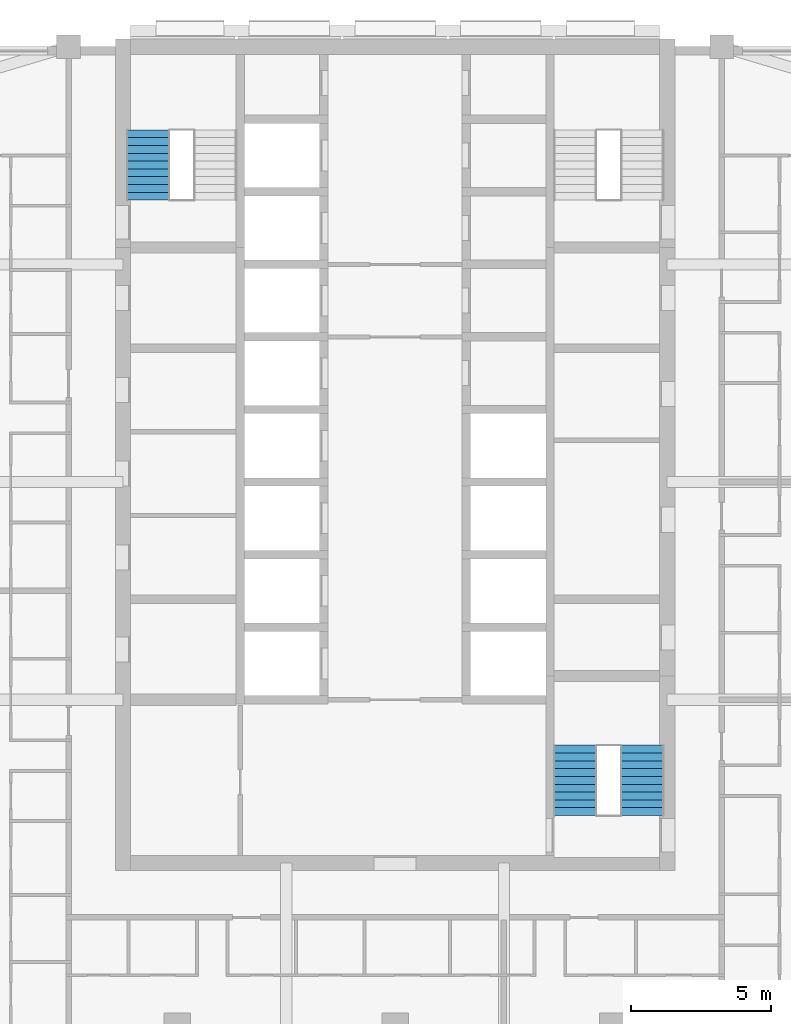
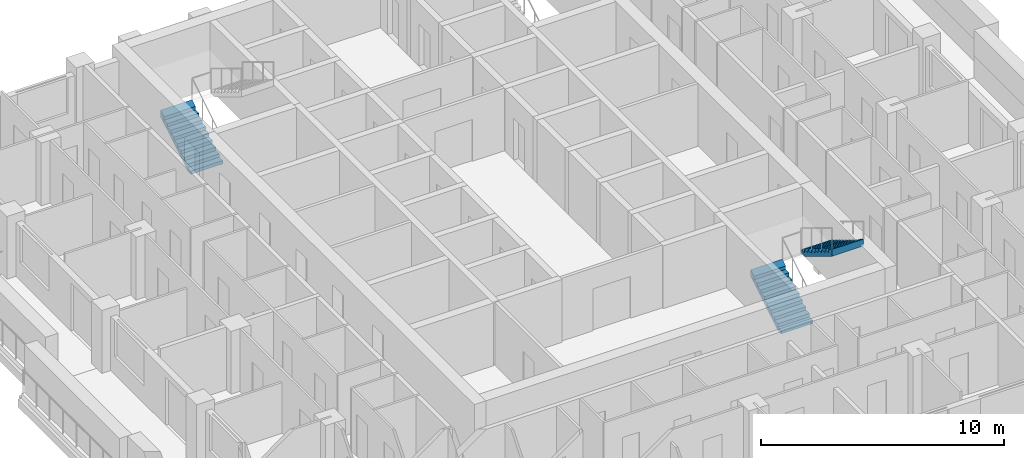
# One storey, part 11 of 14: 3 stair flights, 2 elements without a shape of their own.
"""IFC4 building model written with IfcOpenShell, lengths in metres."""

from ifc_helpers import new_model, si_unit, direction, frame, origin, place, context, subcontext, project, spatial, triangles, material, type_object, element, aggregate, save


model = new_model("IFC4")

# Units and contexts
model_context = context("Model", 3, precision=1e-05, world=origin(), true_north=direction((0.0, 1.0)))
body_context = subcontext(model_context, "Body", "Model", "MODEL_VIEW")
ifc_project = project(units=[si_unit("LENGTHUNIT", "METRE"), si_unit("AREAUNIT", "SQUARE_METRE"), si_unit("VOLUMEUNIT", "CUBIC_METRE"), si_unit("PLANEANGLEUNIT", "RADIAN"), si_unit("MASSUNIT", "GRAM", prefix="KILO")], contexts=[model_context])

# Site, building, storey
site_placement = place(None, origin())
site = spatial("IfcSite", under=ifc_project, at=site_placement, CompositionType="ELEMENT")
building_placement = place(site_placement, origin())
building = spatial("IfcBuilding", under=site, at=building_placement, Name="Ludao Terraces", CompositionType="ELEMENT")
storey_placement = place(building_placement, frame((0.0, 0.0, 106.699951171875)))
storey = spatial("IfcBuildingStorey", under=building, at=storey_placement, Name="L29", CompositionType="ELEMENT", Elevation=106.699951171875)

# Stair, stair flight
ifc_material = material(Name="Concrete C40", Category="concrete")
stair_type = type_object("IfcStairType", Name="INT Stair", PredefinedType="HALF_TURN_STAIR", material=ifc_material)
stair_1_placement = place(storey_placement, origin())
stair_1 = element("IfcStair", 1, at=stair_1_placement, inside=storey, type_object=stair_type, Name="EXIT STAIR 1", PredefinedType="HALF_TURN_STAIR")
stair_flight_type = type_object("IfcStairFlightType", Name="INT Stair flight", PredefinedType="STRAIGHT", material=ifc_material)
stair_flight_1_placement = place(storey_placement, frame((76.14990234375, 79.0, 0.0), z_axis=(0.0, 0.0, 1.0), x_axis=(0.0, 1.0, 0.0)))
stair_flight_1 = element("IfcStairFlight", 2, at=stair_flight_1_placement, type_object=stair_flight_type, Name="ST1 flight 1", NumberOfRisers=10, NumberOfTreads=9, PredefinedType="STRAIGHT", RiserHeight=0.17, TreadLength=0.28, context=body_context, shape_type="Tessellation", body=[
    triangles([(0.0, -0.75, 0.0), (0.0, -0.5, 0.0), (0.0, -0.25, 0.0), (0.0, 0.0, 0.0), (0.0, 0.25, 0.0), (0.0, 0.5, 0.0), (0.0, 0.75, 0.0), (0.0, -0.75, 0.169921875), (0.0, -0.5, 0.169921875), (0.0, -0.25, 0.169921875), (0.0, 0.0, 0.169921875), (0.0, 0.25, 0.169921875), (0.0, 0.5, 0.169921875), (0.0, 0.75, 0.169921875), (0.280029296875, -0.75, 0.169921875), (0.280029296875, -0.5, 0.169921875), (0.280029296875, -0.25, 0.169921875), (0.280029296875, 0.0, 0.169921875), (0.280029296875, 0.25, 0.169921875), (0.280029296875, 0.5, 0.169921875), (0.280029296875, 0.75, 0.169921875), (0.280029296875, -0.75, 0.340087890625), (0.280029296875, -0.5, 0.340087890625), (0.280029296875, -0.25, 0.340087890625), (0.280029296875, 0.0, 0.340087890625), (0.280029296875, 0.25, 0.340087890625), (0.280029296875, 0.5, 0.340087890625), (0.280029296875, 0.75, 0.340087890625), (0.56005859375, -0.75, 0.340087890625), (0.56005859375, -0.5, 0.340087890625), (0.56005859375, -0.25, 0.340087890625), (0.56005859375, 0.0, 0.340087890625), (0.56005859375, 0.25, 0.340087890625), (0.56005859375, 0.5, 0.340087890625), (0.56005859375, 0.75, 0.340087890625), (0.56005859375, -0.75, 0.510009765625), (0.56005859375, -0.5, 0.510009765625), (0.56005859375, -0.25, 0.510009765625), (0.56005859375, 0.0, 0.510009765625), (0.56005859375, 0.25, 0.510009765625), (0.56005859375, 0.5, 0.510009765625), (0.56005859375, 0.75, 0.510009765625), (0.840087890625, -0.75, 0.510009765625), (0.840087890625, -0.5, 0.510009765625), (0.840087890625, -0.25, 0.510009765625), (0.840087890625, 0.0, 0.510009765625), (0.840087890625, 0.25, 0.510009765625), (0.840087890625, 0.5, 0.510009765625), (0.840087890625, 0.75, 0.510009765625), (0.840087890625, -0.75, 0.679931640625), (0.840087890625, -0.5, 0.679931640625), (0.840087890625, -0.25, 0.679931640625), (0.840087890625, 0.0, 0.679931640625), (0.840087890625, 0.25, 0.679931640625), (0.840087890625, 0.5, 0.679931640625), (0.840087890625, 0.75, 0.679931640625), (1.1201171875, -0.75, 0.679931640625), (1.1201171875, -0.5, 0.679931640625), (1.1201171875, -0.25, 0.679931640625), (1.1201171875, 0.0, 0.679931640625), (1.1201171875, 0.25, 0.679931640625), (1.1201171875, 0.5, 0.679931640625), (1.1201171875, 0.75, 0.679931640625), (1.1201171875, -0.75, 0.85009765625), (1.1201171875, -0.5, 0.85009765625), (1.1201171875, -0.25, 0.85009765625), (1.1201171875, 0.0, 0.85009765625), (1.1201171875, 0.25, 0.85009765625), (1.1201171875, 0.5, 0.85009765625), (1.1201171875, 0.75, 0.85009765625), (1.39990234375, -0.75, 0.85009765625), (1.39990234375, -0.5, 0.85009765625), (1.39990234375, -0.25, 0.85009765625), (1.39990234375, 0.0, 0.85009765625), (1.39990234375, 0.25, 0.85009765625), (1.39990234375, 0.5, 0.85009765625), (1.39990234375, 0.75, 0.85009765625), (1.39990234375, -0.75, 1.02001953125), (1.39990234375, -0.5, 1.02001953125), (1.39990234375, -0.25, 1.02001953125), (1.39990234375, 0.0, 1.02001953125), (1.39990234375, 0.25, 1.02001953125), (1.39990234375, 0.5, 1.02001953125), (1.39990234375, 0.75, 1.02001953125), (1.679931640625, -0.75, 1.02001953125), (1.679931640625, -0.5, 1.02001953125), (1.679931640625, -0.25, 1.02001953125), (1.679931640625, 0.0, 1.02001953125), (1.679931640625, 0.25, 1.02001953125), (1.679931640625, 0.5, 1.02001953125), (1.679931640625, 0.75, 1.02001953125), (1.679931640625, -0.75, 1.18994140625), (1.679931640625, -0.5, 1.18994140625), (1.679931640625, -0.25, 1.18994140625), (1.679931640625, 0.0, 1.18994140625), (1.679931640625, 0.25, 1.18994140625), (1.679931640625, 0.5, 1.18994140625), (1.679931640625, 0.75, 1.18994140625), (1.9599609375, -0.75, 1.18994140625), (1.9599609375, -0.5, 1.18994140625), (1.9599609375, -0.25, 1.18994140625), (1.9599609375, 0.0, 1.18994140625), (1.9599609375, 0.25, 1.18994140625), (1.9599609375, 0.5, 1.18994140625), (1.9599609375, 0.75, 1.18994140625), (1.9599609375, -0.75, 1.360107421875), (1.9599609375, -0.5, 1.360107421875), (1.9599609375, -0.25, 1.360107421875), (1.9599609375, 0.0, 1.360107421875), (1.9599609375, 0.25, 1.360107421875), (1.9599609375, 0.5, 1.360107421875), (1.9599609375, 0.75, 1.360107421875), (2.239990234375, -0.75, 1.360107421875), (2.239990234375, -0.5, 1.360107421875), (2.239990234375, -0.25, 1.360107421875), (2.239990234375, 0.0, 1.360107421875), (2.239990234375, 0.25, 1.360107421875), (2.239990234375, 0.5, 1.360107421875), (2.239990234375, 0.75, 1.360107421875), (2.239990234375, -0.75, 1.530029296875), (2.239990234375, -0.5, 1.530029296875), (2.239990234375, -0.25, 1.530029296875), (2.239990234375, 0.0, 1.530029296875), (2.239990234375, 0.25, 1.530029296875), (2.239990234375, 0.5, 1.530029296875), (2.239990234375, 0.75, 1.530029296875), (2.52001953125, -0.75, 1.699951171875), (2.52001953125, -0.5, 1.699951171875), (2.52001953125, -0.25, 1.699951171875), (2.52001953125, 0.0, 1.699951171875), (2.52001953125, 0.25, 1.699951171875), (2.52001953125, 0.5, 1.699951171875), (2.52001953125, 0.75, 1.699951171875), (2.52001953125, -0.75, 1.354736328125), (2.52001953125, -0.5, 1.354736328125), (2.52001953125, -0.25, 1.354736328125), (2.52001953125, 0.0, 1.354736328125), (2.52001953125, 0.25, 1.354736328125), (2.52001953125, 0.5, 1.354736328125), (2.52001953125, 0.75, 1.354736328125), (0.288818359375, -0.75, 0.0), (0.288818359375, -0.5, 0.0), (0.288818359375, -0.25, 0.0), (0.288818359375, 0.0, 0.0), (0.288818359375, 0.25, 0.0), (0.288818359375, 0.5, 0.0), (0.288818359375, 0.75, 0.0)], [[1, 141, 134], [7, 140, 147], [134, 127, 120], [140, 126, 133], [134, 120, 113], [140, 119, 126], [134, 113, 106], [140, 112, 119], [134, 106, 99], [140, 105, 112], [99, 92, 85], [105, 91, 98], [134, 99, 85], [140, 91, 105], [85, 78, 71], [91, 77, 84], [134, 85, 71], [140, 77, 91], [71, 64, 57], [77, 63, 70], [134, 71, 57], [140, 63, 77], [57, 50, 43], [63, 49, 56], [134, 57, 43], [140, 49, 63], [43, 36, 29], [49, 35, 42], [134, 43, 29], [140, 35, 49], [29, 22, 15], [35, 21, 28], [134, 29, 15], [140, 21, 35], [1, 134, 15], [7, 21, 140], [15, 8, 1], [21, 7, 14], [1, 9, 2], [1, 8, 9], [2, 10, 3], [2, 9, 10], [3, 11, 4], [3, 10, 11], [4, 12, 5], [4, 11, 12], [5, 13, 6], [5, 12, 13], [6, 14, 7], [6, 13, 14], [8, 16, 9], [8, 15, 16], [9, 17, 10], [9, 16, 17], [10, 18, 11], [10, 17, 18], [11, 19, 12], [11, 18, 19], [12, 20, 13], [12, 19, 20], [13, 21, 14], [13, 20, 21], [15, 23, 16], [15, 22, 23], [16, 24, 17], [16, 23, 24], [17, 25, 18], [17, 24, 25], [18, 26, 19], [18, 25, 26], [19, 27, 20], [19, 26, 27], [20, 28, 21], [20, 27, 28], [22, 30, 23], [22, 29, 30], [23, 31, 24], [23, 30, 31], [24, 32, 25], [24, 31, 32], [25, 33, 26], [25, 32, 33], [26, 34, 27], [26, 33, 34], [27, 35, 28], [27, 34, 35], [29, 37, 30], [29, 36, 37], [30, 38, 31], [30, 37, 38], [31, 39, 32], [31, 38, 39], [32, 40, 33], [32, 39, 40], [33, 41, 34], [33, 40, 41], [34, 42, 35], [34, 41, 42], [36, 44, 37], [36, 43, 44], [37, 45, 38], [37, 44, 45], [38, 46, 39], [38, 45, 46], [39, 47, 40], [39, 46, 47], [40, 48, 41], [40, 47, 48], [41, 49, 42], [41, 48, 49], [43, 51, 44], [43, 50, 51], [44, 52, 45], [44, 51, 52], [45, 53, 46], [45, 52, 53], [46, 54, 47], [46, 53, 54], [47, 55, 48], [47, 54, 55], [48, 56, 49], [48, 55, 56], [50, 58, 51], [50, 57, 58], [51, 59, 52], [51, 58, 59], [52, 60, 53], [52, 59, 60], [53, 61, 54], [53, 60, 61], [54, 62, 55], [54, 61, 62], [55, 63, 56], [55, 62, 63], [57, 65, 58], [57, 64, 65], [58, 66, 59], [58, 65, 66], [59, 67, 60], [59, 66, 67], [60, 68, 61], [60, 67, 68], [61, 69, 62], [61, 68, 69], [62, 70, 63], [62, 69, 70], [64, 72, 65], [64, 71, 72], [65, 73, 66], [65, 72, 73], [66, 74, 67], [66, 73, 74], [67, 75, 68], [67, 74, 75], [68, 76, 69], [68, 75, 76], [69, 77, 70], [69, 76, 77], [71, 79, 72], [71, 78, 79], [72, 80, 73], [72, 79, 80], [73, 81, 74], [73, 80, 81], [74, 82, 75], [74, 81, 82], [75, 83, 76], [75, 82, 83], [76, 84, 77], [76, 83, 84], [78, 86, 79], [78, 85, 86], [79, 87, 80], [79, 86, 87], [80, 88, 81], [80, 87, 88], [81, 89, 82], [81, 88, 89], [82, 90, 83], [82, 89, 90], [83, 91, 84], [83, 90, 91], [85, 93, 86], [85, 92, 93], [86, 94, 87], [86, 93, 94], [87, 95, 88], [87, 94, 95], [88, 96, 89], [88, 95, 96], [89, 97, 90], [89, 96, 97], [90, 98, 91], [90, 97, 98], [92, 100, 93], [92, 99, 100], [93, 101, 94], [93, 100, 101], [94, 102, 95], [94, 101, 102], [95, 103, 96], [95, 102, 103], [96, 104, 97], [96, 103, 104], [97, 105, 98], [97, 104, 105], [99, 107, 100], [99, 106, 107], [100, 108, 101], [100, 107, 108], [101, 109, 102], [101, 108, 109], [102, 110, 103], [102, 109, 110], [103, 111, 104], [103, 110, 111], [104, 112, 105], [104, 111, 112], [106, 114, 107], [106, 113, 114], [107, 115, 108], [107, 114, 115], [108, 116, 109], [108, 115, 116], [109, 117, 110], [109, 116, 117], [110, 118, 111], [110, 117, 118], [111, 119, 112], [111, 118, 119], [113, 121, 114], [113, 120, 121], [114, 122, 115], [114, 121, 122], [115, 123, 116], [115, 122, 123], [116, 124, 117], [116, 123, 124], [117, 125, 118], [117, 124, 125], [118, 126, 119], [118, 125, 126], [120, 128, 121], [120, 127, 128], [121, 129, 122], [121, 128, 129], [122, 130, 123], [122, 129, 130], [123, 131, 124], [123, 130, 131], [124, 132, 125], [124, 131, 132], [125, 133, 126], [125, 132, 133], [127, 135, 128], [127, 134, 135], [128, 136, 129], [128, 135, 136], [129, 137, 130], [129, 136, 137], [130, 138, 131], [130, 137, 138], [131, 139, 132], [131, 138, 139], [132, 140, 133], [132, 139, 140], [134, 142, 135], [134, 141, 142], [135, 143, 136], [135, 142, 143], [136, 144, 137], [136, 143, 144], [137, 145, 138], [137, 144, 145], [138, 146, 139], [138, 145, 146], [139, 147, 140], [139, 146, 147], [141, 2, 142], [141, 1, 2], [142, 3, 143], [142, 2, 3], [143, 4, 144], [143, 3, 4], [144, 5, 145], [144, 4, 5], [145, 6, 146], [145, 5, 6], [146, 7, 147], [146, 6, 7]], closed=True),
])
aggregate(stair_1, [stair_flight_1])

# Stair, stair flights
stair_2_placement = place(storey_placement, origin())
stair_2 = element("IfcStair", 3, at=stair_2_placement, inside=storey, type_object=stair_type, Name="EXIT STAIR 3", PredefinedType="HALF_TURN_STAIR")
stair_flight_2_placement = place(storey_placement, frame((91.449951171875, 56.949951171875, 0.0), z_axis=(0.0, 0.0, 1.0), x_axis=(0.0, 1.0, 0.0)))
stair_flight_2 = element("IfcStairFlight", 4, at=stair_flight_2_placement, type_object=stair_flight_type, Name="ST3 flight 1", NumberOfRisers=10, NumberOfTreads=9, PredefinedType="STRAIGHT", RiserHeight=0.17, TreadLength=0.28, context=body_context, shape_type="Tessellation", body=[
    triangles([(0.0, -0.75, 0.0), (0.0, -0.5, 0.0), (0.0, -0.25, 0.0), (0.0, 0.0, 0.0), (0.0, 0.25, 0.0), (0.0, 0.5, 0.0), (0.0, 0.75, 0.0), (0.0, -0.75, 0.169921875), (0.0, -0.5, 0.169921875), (0.0, -0.25, 0.169921875), (0.0, 0.0, 0.169921875), (0.0, 0.25, 0.169921875), (0.0, 0.5, 0.169921875), (0.0, 0.75, 0.169921875), (0.280029296875, -0.75, 0.169921875), (0.280029296875, -0.5, 0.169921875), (0.280029296875, -0.25, 0.169921875), (0.280029296875, 0.0, 0.169921875), (0.280029296875, 0.25, 0.169921875), (0.280029296875, 0.5, 0.169921875), (0.280029296875, 0.75, 0.169921875), (0.280029296875, -0.75, 0.340087890625), (0.280029296875, -0.5, 0.340087890625), (0.280029296875, -0.25, 0.340087890625), (0.280029296875, 0.0, 0.340087890625), (0.280029296875, 0.25, 0.340087890625), (0.280029296875, 0.5, 0.340087890625), (0.280029296875, 0.75, 0.340087890625), (0.56005859375, -0.75, 0.340087890625), (0.56005859375, -0.5, 0.340087890625), (0.56005859375, -0.25, 0.340087890625), (0.56005859375, 0.0, 0.340087890625), (0.56005859375, 0.25, 0.340087890625), (0.56005859375, 0.5, 0.340087890625), (0.56005859375, 0.75, 0.340087890625), (0.56005859375, -0.75, 0.510009765625), (0.56005859375, -0.5, 0.510009765625), (0.56005859375, -0.25, 0.510009765625), (0.56005859375, 0.0, 0.510009765625), (0.56005859375, 0.25, 0.510009765625), (0.56005859375, 0.5, 0.510009765625), (0.56005859375, 0.75, 0.510009765625), (0.840087890625, -0.75, 0.510009765625), (0.840087890625, -0.5, 0.510009765625), (0.840087890625, -0.25, 0.510009765625), (0.840087890625, 0.0, 0.510009765625), (0.840087890625, 0.25, 0.510009765625), (0.840087890625, 0.5, 0.510009765625), (0.840087890625, 0.75, 0.510009765625), (0.840087890625, -0.75, 0.679931640625), (0.840087890625, -0.5, 0.679931640625), (0.840087890625, -0.25, 0.679931640625), (0.840087890625, 0.0, 0.679931640625), (0.840087890625, 0.25, 0.679931640625), (0.840087890625, 0.5, 0.679931640625), (0.840087890625, 0.75, 0.679931640625), (1.1201171875, -0.75, 0.679931640625), (1.1201171875, -0.5, 0.679931640625), (1.1201171875, -0.25, 0.679931640625), (1.1201171875, 0.0, 0.679931640625), (1.1201171875, 0.25, 0.679931640625), (1.1201171875, 0.5, 0.679931640625), (1.1201171875, 0.75, 0.679931640625), (1.1201171875, -0.75, 0.85009765625), (1.1201171875, -0.5, 0.85009765625), (1.1201171875, -0.25, 0.85009765625), (1.1201171875, 0.0, 0.85009765625), (1.1201171875, 0.25, 0.85009765625), (1.1201171875, 0.5, 0.85009765625), (1.1201171875, 0.75, 0.85009765625), (1.39990234375, -0.75, 0.85009765625), (1.39990234375, -0.5, 0.85009765625), (1.39990234375, -0.25, 0.85009765625), (1.39990234375, 0.0, 0.85009765625), (1.39990234375, 0.25, 0.85009765625), (1.39990234375, 0.5, 0.85009765625), (1.39990234375, 0.75, 0.85009765625), (1.39990234375, -0.75, 1.02001953125), (1.39990234375, -0.5, 1.02001953125), (1.39990234375, -0.25, 1.02001953125), (1.39990234375, 0.0, 1.02001953125), (1.39990234375, 0.25, 1.02001953125), (1.39990234375, 0.5, 1.02001953125), (1.39990234375, 0.75, 1.02001953125), (1.679931640625, -0.75, 1.02001953125), (1.679931640625, -0.5, 1.02001953125), (1.679931640625, -0.25, 1.02001953125), (1.679931640625, 0.0, 1.02001953125), (1.679931640625, 0.25, 1.02001953125), (1.679931640625, 0.5, 1.02001953125), (1.679931640625, 0.75, 1.02001953125), (1.679931640625, -0.75, 1.18994140625), (1.679931640625, -0.5, 1.18994140625), (1.679931640625, -0.25, 1.18994140625), (1.679931640625, 0.0, 1.18994140625), (1.679931640625, 0.25, 1.18994140625), (1.679931640625, 0.5, 1.18994140625), (1.679931640625, 0.75, 1.18994140625), (1.9599609375, -0.75, 1.18994140625), (1.9599609375, -0.5, 1.18994140625), (1.9599609375, -0.25, 1.18994140625), (1.9599609375, 0.0, 1.18994140625), (1.9599609375, 0.25, 1.18994140625), (1.9599609375, 0.5, 1.18994140625), (1.9599609375, 0.75, 1.18994140625), (1.9599609375, -0.75, 1.360107421875), (1.9599609375, -0.5, 1.360107421875), (1.9599609375, -0.25, 1.360107421875), (1.9599609375, 0.0, 1.360107421875), (1.9599609375, 0.25, 1.360107421875), (1.9599609375, 0.5, 1.360107421875), (1.9599609375, 0.75, 1.360107421875), (2.239990234375, -0.75, 1.360107421875), (2.239990234375, -0.5, 1.360107421875), (2.239990234375, -0.25, 1.360107421875), (2.239990234375, 0.0, 1.360107421875), (2.239990234375, 0.25, 1.360107421875), (2.239990234375, 0.5, 1.360107421875), (2.239990234375, 0.75, 1.360107421875), (2.239990234375, -0.75, 1.530029296875), (2.239990234375, -0.5, 1.530029296875), (2.239990234375, -0.25, 1.530029296875), (2.239990234375, 0.0, 1.530029296875), (2.239990234375, 0.25, 1.530029296875), (2.239990234375, 0.5, 1.530029296875), (2.239990234375, 0.75, 1.530029296875), (2.52001953125, -0.75, 1.699951171875), (2.52001953125, -0.5, 1.699951171875), (2.52001953125, -0.25, 1.699951171875), (2.52001953125, 0.0, 1.699951171875), (2.52001953125, 0.25, 1.699951171875), (2.52001953125, 0.5, 1.699951171875), (2.52001953125, 0.75, 1.699951171875), (2.52001953125, -0.75, 1.354736328125), (2.52001953125, -0.5, 1.354736328125), (2.52001953125, -0.25, 1.354736328125), (2.52001953125, 0.0, 1.354736328125), (2.52001953125, 0.25, 1.354736328125), (2.52001953125, 0.5, 1.354736328125), (2.52001953125, 0.75, 1.354736328125), (0.288818359375, -0.75, 0.0), (0.288818359375, -0.5, 0.0), (0.288818359375, -0.25, 0.0), (0.288818359375, 0.0, 0.0), (0.288818359375, 0.25, 0.0), (0.288818359375, 0.5, 0.0), (0.288818359375, 0.75, 0.0)], [[1, 141, 134], [7, 140, 147], [134, 127, 120], [140, 126, 133], [134, 120, 113], [140, 119, 126], [134, 113, 106], [140, 112, 119], [134, 106, 99], [140, 105, 112], [99, 92, 85], [105, 91, 98], [134, 99, 85], [140, 91, 105], [85, 78, 71], [91, 77, 84], [134, 85, 71], [140, 77, 91], [71, 64, 57], [77, 63, 70], [134, 71, 57], [140, 63, 77], [57, 50, 43], [63, 49, 56], [134, 57, 43], [140, 49, 63], [43, 36, 29], [49, 35, 42], [134, 43, 29], [140, 35, 49], [29, 22, 15], [35, 21, 28], [134, 29, 15], [140, 21, 35], [1, 134, 15], [7, 21, 140], [15, 8, 1], [21, 7, 14], [1, 9, 2], [1, 8, 9], [2, 10, 3], [2, 9, 10], [3, 11, 4], [3, 10, 11], [4, 12, 5], [4, 11, 12], [5, 13, 6], [5, 12, 13], [6, 14, 7], [6, 13, 14], [8, 16, 9], [8, 15, 16], [9, 17, 10], [9, 16, 17], [10, 18, 11], [10, 17, 18], [11, 19, 12], [11, 18, 19], [12, 20, 13], [12, 19, 20], [13, 21, 14], [13, 20, 21], [15, 23, 16], [15, 22, 23], [16, 24, 17], [16, 23, 24], [17, 25, 18], [17, 24, 25], [18, 26, 19], [18, 25, 26], [19, 27, 20], [19, 26, 27], [20, 28, 21], [20, 27, 28], [22, 30, 23], [22, 29, 30], [23, 31, 24], [23, 30, 31], [24, 32, 25], [24, 31, 32], [25, 33, 26], [25, 32, 33], [26, 34, 27], [26, 33, 34], [27, 35, 28], [27, 34, 35], [29, 37, 30], [29, 36, 37], [30, 38, 31], [30, 37, 38], [31, 39, 32], [31, 38, 39], [32, 40, 33], [32, 39, 40], [33, 41, 34], [33, 40, 41], [34, 42, 35], [34, 41, 42], [36, 44, 37], [36, 43, 44], [37, 45, 38], [37, 44, 45], [38, 46, 39], [38, 45, 46], [39, 47, 40], [39, 46, 47], [40, 48, 41], [40, 47, 48], [41, 49, 42], [41, 48, 49], [43, 51, 44], [43, 50, 51], [44, 52, 45], [44, 51, 52], [45, 53, 46], [45, 52, 53], [46, 54, 47], [46, 53, 54], [47, 55, 48], [47, 54, 55], [48, 56, 49], [48, 55, 56], [50, 58, 51], [50, 57, 58], [51, 59, 52], [51, 58, 59], [52, 60, 53], [52, 59, 60], [53, 61, 54], [53, 60, 61], [54, 62, 55], [54, 61, 62], [55, 63, 56], [55, 62, 63], [57, 65, 58], [57, 64, 65], [58, 66, 59], [58, 65, 66], [59, 67, 60], [59, 66, 67], [60, 68, 61], [60, 67, 68], [61, 69, 62], [61, 68, 69], [62, 70, 63], [62, 69, 70], [64, 72, 65], [64, 71, 72], [65, 73, 66], [65, 72, 73], [66, 74, 67], [66, 73, 74], [67, 75, 68], [67, 74, 75], [68, 76, 69], [68, 75, 76], [69, 77, 70], [69, 76, 77], [71, 79, 72], [71, 78, 79], [72, 80, 73], [72, 79, 80], [73, 81, 74], [73, 80, 81], [74, 82, 75], [74, 81, 82], [75, 83, 76], [75, 82, 83], [76, 84, 77], [76, 83, 84], [78, 86, 79], [78, 85, 86], [79, 87, 80], [79, 86, 87], [80, 88, 81], [80, 87, 88], [81, 89, 82], [81, 88, 89], [82, 90, 83], [82, 89, 90], [83, 91, 84], [83, 90, 91], [85, 93, 86], [85, 92, 93], [86, 94, 87], [86, 93, 94], [87, 95, 88], [87, 94, 95], [88, 96, 89], [88, 95, 96], [89, 97, 90], [89, 96, 97], [90, 98, 91], [90, 97, 98], [92, 100, 93], [92, 99, 100], [93, 101, 94], [93, 100, 101], [94, 102, 95], [94, 101, 102], [95, 103, 96], [95, 102, 103], [96, 104, 97], [96, 103, 104], [97, 105, 98], [97, 104, 105], [99, 107, 100], [99, 106, 107], [100, 108, 101], [100, 107, 108], [101, 109, 102], [101, 108, 109], [102, 110, 103], [102, 109, 110], [103, 111, 104], [103, 110, 111], [104, 112, 105], [104, 111, 112], [106, 114, 107], [106, 113, 114], [107, 115, 108], [107, 114, 115], [108, 116, 109], [108, 115, 116], [109, 117, 110], [109, 116, 117], [110, 118, 111], [110, 117, 118], [111, 119, 112], [111, 118, 119], [113, 121, 114], [113, 120, 121], [114, 122, 115], [114, 121, 122], [115, 123, 116], [115, 122, 123], [116, 124, 117], [116, 123, 124], [117, 125, 118], [117, 124, 125], [118, 126, 119], [118, 125, 126], [120, 128, 121], [120, 127, 128], [121, 129, 122], [121, 128, 129], [122, 130, 123], [122, 129, 130], [123, 131, 124], [123, 130, 131], [124, 132, 125], [124, 131, 132], [125, 133, 126], [125, 132, 133], [127, 135, 128], [127, 134, 135], [128, 136, 129], [128, 135, 136], [129, 137, 130], [129, 136, 137], [130, 138, 131], [130, 137, 138], [131, 139, 132], [131, 138, 139], [132, 140, 133], [132, 139, 140], [134, 142, 135], [134, 141, 142], [135, 143, 136], [135, 142, 143], [136, 144, 137], [136, 143, 144], [137, 145, 138], [137, 144, 145], [138, 146, 139], [138, 145, 146], [139, 147, 140], [139, 146, 147], [141, 2, 142], [141, 1, 2], [142, 3, 143], [142, 2, 3], [143, 4, 144], [143, 3, 4], [144, 5, 145], [144, 4, 5], [145, 6, 146], [145, 5, 6], [146, 7, 147], [146, 6, 7]], closed=True),
])
stair_flight_3_placement = place(storey_placement, frame((93.85009765625, 59.469970703125, 1.699951171875), z_axis=(0.0, 0.0, 1.0), x_axis=(0.0, -1.0, 0.0)))
stair_flight_3 = element("IfcStairFlight", 5, at=stair_flight_3_placement, type_object=stair_flight_type, Name="ST3 flight 2", NumberOfRisers=10, NumberOfTreads=9, PredefinedType="STRAIGHT", RiserHeight=0.17, TreadLength=0.28, context=body_context, shape_type="Tessellation", body=[
    triangles([(0.0, -0.75, 0.0), (0.0, -0.5, 0.0), (0.0, -0.25, 0.0), (0.0, 0.0, 0.0), (0.0, 0.25, 0.0), (0.0, 0.5, 0.0), (0.0, 0.75, 0.0), (0.0, -0.75, 0.169921875), (0.0, -0.5, 0.169921875), (0.0, -0.25, 0.169921875), (0.0, 0.0, 0.169921875), (0.0, 0.25, 0.169921875), (0.0, 0.5, 0.169921875), (0.0, 0.75, 0.169921875), (0.280029296875, -0.75, 0.169921875), (0.280029296875, -0.5, 0.169921875), (0.280029296875, -0.25, 0.169921875), (0.280029296875, 0.0, 0.169921875), (0.280029296875, 0.25, 0.169921875), (0.280029296875, 0.5, 0.169921875), (0.280029296875, 0.75, 0.169921875), (0.280029296875, -0.75, 0.340087890625), (0.280029296875, -0.5, 0.340087890625), (0.280029296875, -0.25, 0.340087890625), (0.280029296875, 0.0, 0.340087890625), (0.280029296875, 0.25, 0.340087890625), (0.280029296875, 0.5, 0.340087890625), (0.280029296875, 0.75, 0.340087890625), (0.56005859375, -0.75, 0.340087890625), (0.56005859375, -0.5, 0.340087890625), (0.56005859375, -0.25, 0.340087890625), (0.56005859375, 0.0, 0.340087890625), (0.56005859375, 0.25, 0.340087890625), (0.56005859375, 0.5, 0.340087890625), (0.56005859375, 0.75, 0.340087890625), (0.56005859375, -0.75, 0.510009765625), (0.56005859375, -0.5, 0.510009765625), (0.56005859375, -0.25, 0.510009765625), (0.56005859375, 0.0, 0.510009765625), (0.56005859375, 0.25, 0.510009765625), (0.56005859375, 0.5, 0.510009765625), (0.56005859375, 0.75, 0.510009765625), (0.840087890625, -0.75, 0.510009765625), (0.840087890625, -0.5, 0.510009765625), (0.840087890625, -0.25, 0.510009765625), (0.840087890625, 0.0, 0.510009765625), (0.840087890625, 0.25, 0.510009765625), (0.840087890625, 0.5, 0.510009765625), (0.840087890625, 0.75, 0.510009765625), (0.840087890625, -0.75, 0.679931640625), (0.840087890625, -0.5, 0.679931640625), (0.840087890625, -0.25, 0.679931640625), (0.840087890625, 0.0, 0.679931640625), (0.840087890625, 0.25, 0.679931640625), (0.840087890625, 0.5, 0.679931640625), (0.840087890625, 0.75, 0.679931640625), (1.1201171875, -0.75, 0.679931640625), (1.1201171875, -0.5, 0.679931640625), (1.1201171875, -0.25, 0.679931640625), (1.1201171875, 0.0, 0.679931640625), (1.1201171875, 0.25, 0.679931640625), (1.1201171875, 0.5, 0.679931640625), (1.1201171875, 0.75, 0.679931640625), (1.1201171875, -0.75, 0.85009765625), (1.1201171875, -0.5, 0.85009765625), (1.1201171875, -0.25, 0.85009765625), (1.1201171875, 0.0, 0.85009765625), (1.1201171875, 0.25, 0.85009765625), (1.1201171875, 0.5, 0.85009765625), (1.1201171875, 0.75, 0.85009765625), (1.39990234375, -0.75, 0.85009765625), (1.39990234375, -0.5, 0.85009765625), (1.39990234375, -0.25, 0.85009765625), (1.39990234375, 0.0, 0.85009765625), (1.39990234375, 0.25, 0.85009765625), (1.39990234375, 0.5, 0.85009765625), (1.39990234375, 0.75, 0.85009765625), (1.39990234375, -0.75, 1.02001953125), (1.39990234375, -0.5, 1.02001953125), (1.39990234375, -0.25, 1.02001953125), (1.39990234375, 0.0, 1.02001953125), (1.39990234375, 0.25, 1.02001953125), (1.39990234375, 0.5, 1.02001953125), (1.39990234375, 0.75, 1.02001953125), (1.679931640625, -0.75, 1.02001953125), (1.679931640625, -0.5, 1.02001953125), (1.679931640625, -0.25, 1.02001953125), (1.679931640625, 0.0, 1.02001953125), (1.679931640625, 0.25, 1.02001953125), (1.679931640625, 0.5, 1.02001953125), (1.679931640625, 0.75, 1.02001953125), (1.679931640625, -0.75, 1.18994140625), (1.679931640625, -0.5, 1.18994140625), (1.679931640625, -0.25, 1.18994140625), (1.679931640625, 0.0, 1.18994140625), (1.679931640625, 0.25, 1.18994140625), (1.679931640625, 0.5, 1.18994140625), (1.679931640625, 0.75, 1.18994140625), (1.9599609375, -0.75, 1.18994140625), (1.9599609375, -0.5, 1.18994140625), (1.9599609375, -0.25, 1.18994140625), (1.9599609375, 0.0, 1.18994140625), (1.9599609375, 0.25, 1.18994140625), (1.9599609375, 0.5, 1.18994140625), (1.9599609375, 0.75, 1.18994140625), (1.9599609375, -0.75, 1.360107421875), (1.9599609375, -0.5, 1.360107421875), (1.9599609375, -0.25, 1.360107421875), (1.9599609375, 0.0, 1.360107421875), (1.9599609375, 0.25, 1.360107421875), (1.9599609375, 0.5, 1.360107421875), (1.9599609375, 0.75, 1.360107421875), (2.239990234375, -0.75, 1.360107421875), (2.239990234375, -0.5, 1.360107421875), (2.239990234375, -0.25, 1.360107421875), (2.239990234375, 0.0, 1.360107421875), (2.239990234375, 0.25, 1.360107421875), (2.239990234375, 0.5, 1.360107421875), (2.239990234375, 0.75, 1.360107421875), (2.239990234375, -0.75, 1.530029296875), (2.239990234375, -0.5, 1.530029296875), (2.239990234375, -0.25, 1.530029296875), (2.239990234375, 0.0, 1.530029296875), (2.239990234375, 0.25, 1.530029296875), (2.239990234375, 0.5, 1.530029296875), (2.239990234375, 0.75, 1.530029296875), (2.52001953125, -0.75, 1.699951171875), (2.52001953125, -0.5, 1.699951171875), (2.52001953125, -0.25, 1.699951171875), (2.52001953125, 0.0, 1.699951171875), (2.52001953125, 0.25, 1.699951171875), (2.52001953125, 0.5, 1.699951171875), (2.52001953125, 0.75, 1.699951171875), (2.52001953125, -0.75, 1.354736328125), (2.52001953125, -0.5, 1.354736328125), (2.52001953125, -0.25, 1.354736328125), (2.52001953125, 0.0, 1.354736328125), (2.52001953125, 0.25, 1.354736328125), (2.52001953125, 0.5, 1.354736328125), (2.52001953125, 0.75, 1.354736328125), (0.288818359375, -0.75, 0.0), (0.288818359375, -0.5, 0.0), (0.288818359375, -0.25, 0.0), (0.288818359375, 0.0, 0.0), (0.288818359375, 0.25, 0.0), (0.288818359375, 0.5, 0.0), (0.288818359375, 0.75, 0.0)], [[1, 141, 134], [7, 140, 147], [134, 127, 120], [140, 126, 133], [134, 120, 113], [140, 119, 126], [134, 113, 106], [140, 112, 119], [134, 106, 99], [140, 105, 112], [99, 92, 85], [105, 91, 98], [134, 99, 85], [140, 91, 105], [85, 78, 71], [91, 77, 84], [134, 85, 71], [140, 77, 91], [71, 64, 57], [77, 63, 70], [134, 71, 57], [140, 63, 77], [57, 50, 43], [63, 49, 56], [134, 57, 43], [140, 49, 63], [43, 36, 29], [49, 35, 42], [134, 43, 29], [140, 35, 49], [29, 22, 15], [35, 21, 28], [134, 29, 15], [140, 21, 35], [1, 134, 15], [7, 21, 140], [15, 8, 1], [21, 7, 14], [1, 9, 2], [1, 8, 9], [2, 10, 3], [2, 9, 10], [3, 11, 4], [3, 10, 11], [4, 12, 5], [4, 11, 12], [5, 13, 6], [5, 12, 13], [6, 14, 7], [6, 13, 14], [8, 16, 9], [8, 15, 16], [9, 17, 10], [9, 16, 17], [10, 18, 11], [10, 17, 18], [11, 19, 12], [11, 18, 19], [12, 20, 13], [12, 19, 20], [13, 21, 14], [13, 20, 21], [15, 23, 16], [15, 22, 23], [16, 24, 17], [16, 23, 24], [17, 25, 18], [17, 24, 25], [18, 26, 19], [18, 25, 26], [19, 27, 20], [19, 26, 27], [20, 28, 21], [20, 27, 28], [22, 30, 23], [22, 29, 30], [23, 31, 24], [23, 30, 31], [24, 32, 25], [24, 31, 32], [25, 33, 26], [25, 32, 33], [26, 34, 27], [26, 33, 34], [27, 35, 28], [27, 34, 35], [29, 37, 30], [29, 36, 37], [30, 38, 31], [30, 37, 38], [31, 39, 32], [31, 38, 39], [32, 40, 33], [32, 39, 40], [33, 41, 34], [33, 40, 41], [34, 42, 35], [34, 41, 42], [36, 44, 37], [36, 43, 44], [37, 45, 38], [37, 44, 45], [38, 46, 39], [38, 45, 46], [39, 47, 40], [39, 46, 47], [40, 48, 41], [40, 47, 48], [41, 49, 42], [41, 48, 49], [43, 51, 44], [43, 50, 51], [44, 52, 45], [44, 51, 52], [45, 53, 46], [45, 52, 53], [46, 54, 47], [46, 53, 54], [47, 55, 48], [47, 54, 55], [48, 56, 49], [48, 55, 56], [50, 58, 51], [50, 57, 58], [51, 59, 52], [51, 58, 59], [52, 60, 53], [52, 59, 60], [53, 61, 54], [53, 60, 61], [54, 62, 55], [54, 61, 62], [55, 63, 56], [55, 62, 63], [57, 65, 58], [57, 64, 65], [58, 66, 59], [58, 65, 66], [59, 67, 60], [59, 66, 67], [60, 68, 61], [60, 67, 68], [61, 69, 62], [61, 68, 69], [62, 70, 63], [62, 69, 70], [64, 72, 65], [64, 71, 72], [65, 73, 66], [65, 72, 73], [66, 74, 67], [66, 73, 74], [67, 75, 68], [67, 74, 75], [68, 76, 69], [68, 75, 76], [69, 77, 70], [69, 76, 77], [71, 79, 72], [71, 78, 79], [72, 80, 73], [72, 79, 80], [73, 81, 74], [73, 80, 81], [74, 82, 75], [74, 81, 82], [75, 83, 76], [75, 82, 83], [76, 84, 77], [76, 83, 84], [78, 86, 79], [78, 85, 86], [79, 87, 80], [79, 86, 87], [80, 88, 81], [80, 87, 88], [81, 89, 82], [81, 88, 89], [82, 90, 83], [82, 89, 90], [83, 91, 84], [83, 90, 91], [85, 93, 86], [85, 92, 93], [86, 94, 87], [86, 93, 94], [87, 95, 88], [87, 94, 95], [88, 96, 89], [88, 95, 96], [89, 97, 90], [89, 96, 97], [90, 98, 91], [90, 97, 98], [92, 100, 93], [92, 99, 100], [93, 101, 94], [93, 100, 101], [94, 102, 95], [94, 101, 102], [95, 103, 96], [95, 102, 103], [96, 104, 97], [96, 103, 104], [97, 105, 98], [97, 104, 105], [99, 107, 100], [99, 106, 107], [100, 108, 101], [100, 107, 108], [101, 109, 102], [101, 108, 109], [102, 110, 103], [102, 109, 110], [103, 111, 104], [103, 110, 111], [104, 112, 105], [104, 111, 112], [106, 114, 107], [106, 113, 114], [107, 115, 108], [107, 114, 115], [108, 116, 109], [108, 115, 116], [109, 117, 110], [109, 116, 117], [110, 118, 111], [110, 117, 118], [111, 119, 112], [111, 118, 119], [113, 121, 114], [113, 120, 121], [114, 122, 115], [114, 121, 122], [115, 123, 116], [115, 122, 123], [116, 124, 117], [116, 123, 124], [117, 125, 118], [117, 124, 125], [118, 126, 119], [118, 125, 126], [120, 128, 121], [120, 127, 128], [121, 129, 122], [121, 128, 129], [122, 130, 123], [122, 129, 130], [123, 131, 124], [123, 130, 131], [124, 132, 125], [124, 131, 132], [125, 133, 126], [125, 132, 133], [127, 135, 128], [127, 134, 135], [128, 136, 129], [128, 135, 136], [129, 137, 130], [129, 136, 137], [130, 138, 131], [130, 137, 138], [131, 139, 132], [131, 138, 139], [132, 140, 133], [132, 139, 140], [134, 142, 135], [134, 141, 142], [135, 143, 136], [135, 142, 143], [136, 144, 137], [136, 143, 144], [137, 145, 138], [137, 144, 145], [138, 146, 139], [138, 145, 146], [139, 147, 140], [139, 146, 147], [141, 2, 142], [141, 1, 2], [142, 3, 143], [142, 2, 3], [143, 4, 144], [143, 3, 4], [144, 5, 145], [144, 4, 5], [145, 6, 146], [145, 5, 6], [146, 7, 147], [146, 6, 7]], closed=True),
])
aggregate(stair_2, [stair_flight_2, stair_flight_3])

save(model, "model.ifc")
